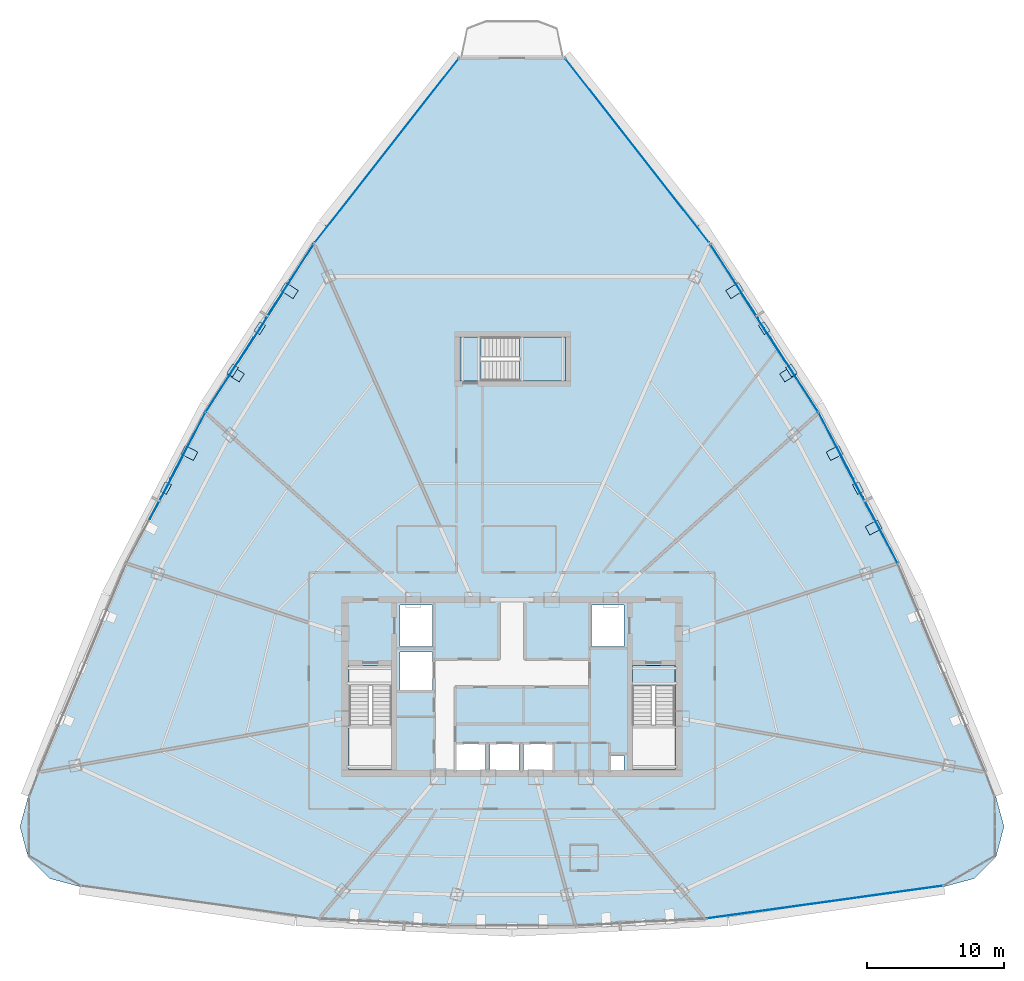
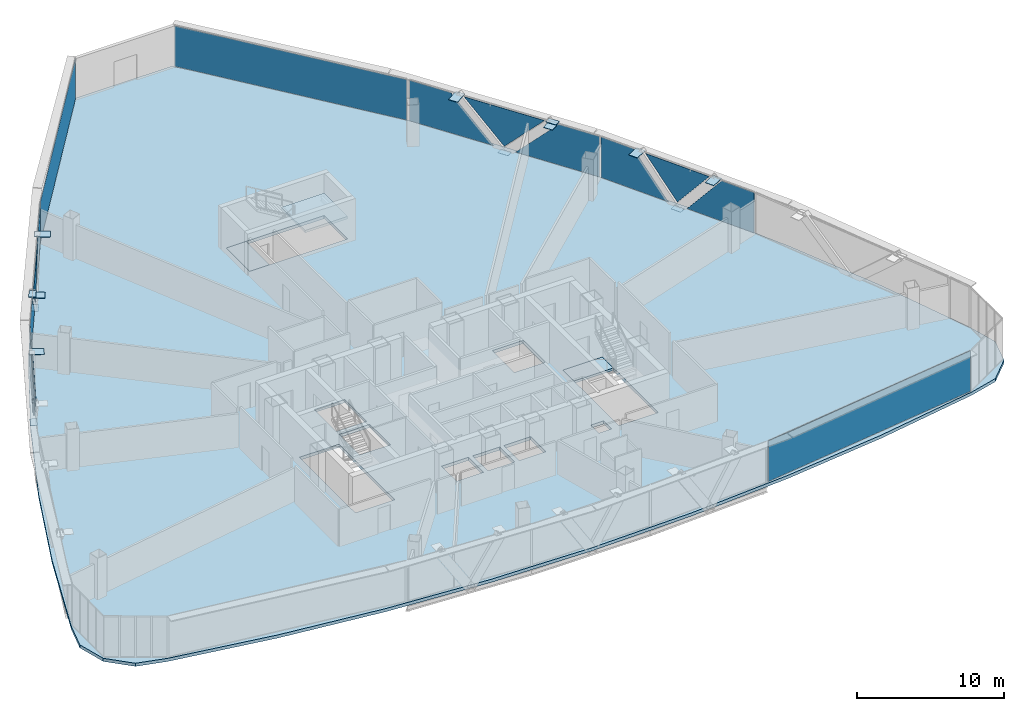
# One storey, part 28 of 36: 27 plates, 4 slabs, 9 elements without a shape of their own.
"""IFC4 building model written with IfcOpenShell, lengths in metres."""

from ifc_helpers import new_model, si_unit, direction, frame, origin, origin_2d, place, context, subcontext, project, spatial, polyline, rectangle, outline, extrude, source, transform, mapped, material, layer, layer_set, type_object, element, aggregate, save


model = new_model("IFC4")

# Units and contexts
model_context = context("Model", 3, precision=1e-05, world=origin(), true_north=direction((0.0, 1.0)))
body_context = subcontext(model_context, "Body", "Model", "MODEL_VIEW")
ifc_project = project(units=[si_unit("LENGTHUNIT", "METRE"), si_unit("AREAUNIT", "SQUARE_METRE"), si_unit("VOLUMEUNIT", "CUBIC_METRE"), si_unit("PLANEANGLEUNIT", "RADIAN"), si_unit("MASSUNIT", "GRAM", prefix="KILO"), si_unit("THERMODYNAMICTEMPERATUREUNIT", "KELVIN"), si_unit("POWERUNIT", "WATT")], contexts=[model_context])

# Site, building, storey
site_placement = place(None, origin())
site = spatial("IfcSite", under=ifc_project, at=site_placement, CompositionType="ELEMENT")
building_placement = place(site_placement, origin())
building = spatial("IfcBuilding", under=site, at=building_placement, Name="Yunzhuo Pagoda Commons", CompositionType="ELEMENT")
storey_placement = place(building_placement, frame((0.0, 0.0, 248.260009765625)))
storey = spatial("IfcBuildingStorey", under=building, at=storey_placement, Name="L62", CompositionType="ELEMENT", Elevation=248.260009765625)

# Curtain wall, plates
ifc_material_1 = material(Name="Anodized aluminium 6063-T6", Category="aluminium")
ifc_layer_1 = layer(ifc_material_1, 0.139892578125)
ifc_layer_set_1 = layer_set([ifc_layer_1], Name="Anodized aluminium 6063-T6")
curtain_wall_type = type_object("IfcCurtainWallType", Name="CW-HI High-Zone Ribbon Curtain Wall", PredefinedType="NOTDEFINED", material=ifc_layer_set_1)
curtain_wall_1_placement = place(storey_placement, origin())
curtain_wall_1 = element("IfcCurtainWall", 1, at=curtain_wall_1_placement, inside=storey, type_object=curtain_wall_type, Name="L62 curtain wall CW-L62-F2B3", PredefinedType="NOTDEFINED")
ifc_material_2 = material(Name="Tempered low-e double glazing", Category="glass")
ifc_layer_2 = layer(ifc_material_2, 0.02587890625)
ifc_layer_set_2 = layer_set([ifc_layer_2], Name="Tempered low-e double glazing")
plate_type_1 = type_object("IfcPlateType", Name="CW-HI-P Low-E Double Glazing 26", PredefinedType="CURTAIN_PANEL", material=ifc_layer_set_2)
plate_1_placement = place(storey_placement, frame((74.899169921875, 45.30029296875, 1.735107421875), z_axis=(0.88543295769, 0.464767121725, 0.0), x_axis=(-0.464767121725, 0.88543295769, 0.0)))
plate_1 = element("IfcPlate", 2, at=plate_1_placement, type_object=plate_type_1, Name="CW panel 1.1 lite 1", PredefinedType="CURTAIN_PANEL", context=body_context, shape_type="SweptSolid", body=[
    extrude(outline(polyline([(-2.7021484375, -1.679931640625), (2.7021484375, -1.679931640625), (-0.10009765625, 1.679931640625), (-2.7021484375, 1.679931640625), (-2.7021484375, -1.679931640625)])), origin(), (0.0, 0.0, 1.0), 0.028076171875),
])
plate_2_placement = place(storey_placement, frame((73.264404296875, 48.349853515625, 1.874267578125), z_axis=(0.88543295769, 0.464767121725, 0.0), x_axis=(-0.464767121725, 0.88543295769, 0.0)))
plate_2 = element("IfcPlate", 3, at=plate_2_placement, type_object=plate_type_1, Name="CW panel 1.1 lite 2", PredefinedType="CURTAIN_PANEL", context=body_context, shape_type="SweptSolid", body=[
    extrude(outline(polyline([(-2.5703125, 1.541015625), (0.0, -1.541015625), (2.5703125, 1.541015625), (-2.5703125, 1.541015625)])), origin(), (0.0, 0.0, 1.0), 0.028076171875),
])
plate_3_placement = place(storey_placement, frame((71.68310546875, 51.42724609375, 1.735107421875), z_axis=(0.88543295769, 0.464767121725, 0.0), x_axis=(-0.464767121725, 0.88543295769, 0.0)))
plate_3 = element("IfcPlate", 4, at=plate_3_placement, type_object=plate_type_1, Name="CW panel 1.1 lite 3", PredefinedType="CURTAIN_PANEL", context=body_context, shape_type="SweptSolid", body=[
    extrude(outline(polyline([(-2.7021484375, -1.679931640625), (2.7021484375, -1.679931640625), (2.7021484375, 1.679931640625), (0.10009765625, 1.679931640625), (-2.7021484375, -1.679931640625)])), origin(), (0.0, 0.0, 1.0), 0.028076171875),
])
aggregate(curtain_wall_1, [plate_1, plate_2, plate_3])

curtain_wall_2_placement = place(storey_placement, origin())
curtain_wall_2 = element("IfcCurtainWall", 5, at=curtain_wall_2_placement, inside=storey, type_object=curtain_wall_type, Name="L62 curtain wall CW-L62-F2B4", PredefinedType="NOTDEFINED")
plate_4_placement = place(storey_placement, frame((68.628662109375, 56.62841796875, 1.735107421875), z_axis=(0.841269037614, 0.540616690782, 0.0), x_axis=(-0.540616690782, 0.841269037614, 0.0)))
plate_4 = element("IfcPlate", 6, at=plate_4_placement, type_object=plate_type_1, Name="CW panel 1.1 lite 1", PredefinedType="CURTAIN_PANEL", context=body_context, shape_type="SweptSolid", body=[
    extrude(outline(polyline([(-3.216552734375, -1.679931640625), (3.216552734375, -1.679931640625), (-0.08740234375, 1.679931640625), (-3.216552734375, 1.679931640625), (-3.216552734375, -1.679931640625)])), origin(), (0.0, 0.0, 1.0), 0.028076171875),
])
plate_5_placement = place(storey_placement, frame((66.408935546875, 60.02734375, 1.848388671875), z_axis=(0.841269037614, 0.540616690782, 0.0), x_axis=(-0.540616690782, 0.841269037614, 0.0)))
plate_5 = element("IfcPlate", 7, at=plate_5_placement, type_object=plate_type_1, Name="CW panel 1.1 lite 2", PredefinedType="CURTAIN_PANEL", context=body_context, shape_type="SweptSolid", body=[
    extrude(outline(polyline([(-3.080810546875, 1.56640625), (0.0, -1.56640625), (3.080810546875, 1.56640625), (-3.080810546875, 1.56640625)])), origin(), (0.0, 0.0, 1.0), 0.028076171875),
])
plate_6_placement = place(storey_placement, frame((64.239501953125, 63.45849609375, 1.735107421875), z_axis=(0.841269037614, 0.540616690782, 0.0), x_axis=(-0.540616690782, 0.841269037614, 0.0)))
plate_6 = element("IfcPlate", 8, at=plate_6_placement, type_object=plate_type_1, Name="CW panel 1.1 lite 3", PredefinedType="CURTAIN_PANEL", context=body_context, shape_type="SweptSolid", body=[
    extrude(outline(polyline([(-3.216552734375, -1.679931640625), (3.216552734375, -1.679931640625), (3.216552734375, 1.679931640625), (0.08740234375, 1.679931640625), (-3.216552734375, -1.679931640625)])), origin(), (0.0, 0.0, 1.0), 0.028076171875),
])
aggregate(curtain_wall_2, [plate_4, plate_5, plate_6])

curtain_wall_3_placement = place(storey_placement, origin())
curtain_wall_3 = element("IfcCurtainWall", 9, at=curtain_wall_3_placement, inside=storey, type_object=curtain_wall_type, Name="L62 curtain wall CW-L62-F3B2", PredefinedType="NOTDEFINED")
plate_7_placement = place(storey_placement, frame((31.760498046875, 63.45849609375, 1.735107421875), z_axis=(-0.841269037614, 0.540616690782, 0.0), x_axis=(-0.540616690782, -0.841269037614, 0.0)))
plate_7 = element("IfcPlate", 10, at=plate_7_placement, type_object=plate_type_1, Name="CW panel 1.1 lite 1", PredefinedType="CURTAIN_PANEL", context=body_context, shape_type="SweptSolid", body=[
    extrude(outline(polyline([(-3.216552734375, -1.679931640625), (3.216552734375, -1.679931640625), (-0.08740234375, 1.679931640625), (-3.216552734375, 1.679931640625), (-3.216552734375, -1.679931640625)])), origin(), (0.0, 0.0, 1.0), 0.028076171875),
])
plate_8_placement = place(storey_placement, frame((29.59130859375, 60.02734375, 1.848388671875), z_axis=(-0.841269037614, 0.540616690782, 0.0), x_axis=(-0.540616690782, -0.841269037614, 0.0)))
plate_8 = element("IfcPlate", 11, at=plate_8_placement, type_object=plate_type_1, Name="CW panel 1.1 lite 2", PredefinedType="CURTAIN_PANEL", context=body_context, shape_type="SweptSolid", body=[
    extrude(outline(polyline([(-3.0810546875, 1.56640625), (0.0, -1.56640625), (3.0810546875, 1.56640625), (-3.0810546875, 1.56640625)])), origin(), (0.0, 0.0, 1.0), 0.028076171875),
])
plate_9_placement = place(storey_placement, frame((27.371337890625, 56.62841796875, 1.735107421875), z_axis=(-0.841269037614, 0.540616690782, 0.0), x_axis=(-0.540616690782, -0.841269037614, 0.0)))
plate_9 = element("IfcPlate", 12, at=plate_9_placement, type_object=plate_type_1, Name="CW panel 1.1 lite 3", PredefinedType="CURTAIN_PANEL", context=body_context, shape_type="SweptSolid", body=[
    extrude(outline(polyline([(-3.216552734375, -1.679931640625), (3.216552734375, -1.679931640625), (3.216552734375, 1.679931640625), (0.087646484375, 1.679931640625), (-3.216552734375, -1.679931640625)])), origin(), (0.0, 0.0, 1.0), 0.028076171875),
])
aggregate(curtain_wall_3, [plate_7, plate_8, plate_9])

curtain_wall_4_placement = place(storey_placement, origin())
curtain_wall_4 = element("IfcCurtainWall", 13, at=curtain_wall_4_placement, inside=storey, type_object=curtain_wall_type, Name="L62 curtain wall CW-L62-F3B3", PredefinedType="NOTDEFINED")
plate_10_placement = place(storey_placement, frame((24.31689453125, 51.42724609375, 1.735107421875), z_axis=(-0.88543295769, 0.464767121725, 0.0), x_axis=(-0.464767121725, -0.88543295769, 0.0)))
plate_10 = element("IfcPlate", 14, at=plate_10_placement, type_object=plate_type_1, Name="CW panel 1.1 lite 1", PredefinedType="CURTAIN_PANEL", context=body_context, shape_type="SweptSolid", body=[
    extrude(outline(polyline([(-2.7021484375, -1.679931640625), (2.7021484375, -1.679931640625), (-0.10009765625, 1.679931640625), (-2.7021484375, 1.679931640625), (-2.7021484375, -1.679931640625)])), origin(), (0.0, 0.0, 1.0), 0.028076171875),
])
plate_11_placement = place(storey_placement, frame((22.735595703125, 48.349853515625, 1.874267578125), z_axis=(-0.88543295769, 0.464767121725, 0.0), x_axis=(-0.464767121725, -0.88543295769, 0.0)))
plate_11 = element("IfcPlate", 15, at=plate_11_placement, type_object=plate_type_1, Name="CW panel 1.1 lite 2", PredefinedType="CURTAIN_PANEL", context=body_context, shape_type="SweptSolid", body=[
    extrude(outline(polyline([(-2.5703125, 1.541015625), (0.0, -1.541015625), (2.5703125, 1.541015625), (-2.5703125, 1.541015625)])), origin(), (0.0, 0.0, 1.0), 0.028076171875),
])
aggregate(curtain_wall_4, [plate_10, plate_11])

# Stair, slab
ifc_material_3 = material(Name="Concrete C40", Category="concrete")
stair_type_1 = type_object("IfcStairType", Name="ST-C2 Core Smokeproof Stair ST2", PredefinedType="HALF_TURN_STAIR", material=ifc_material_3)
stair_1_placement = place(storey_placement, origin())
stair_1 = element("IfcStair", 16, at=stair_1_placement, inside=storey, type_object=stair_type_1, Name="L62 Core smokeproof stair ST2", PredefinedType="HALF_TURN_STAIR")
ifc_layer_3 = layer(ifc_material_3, 0.201904296875)
ifc_layer_set_3 = layer_set([ifc_layer_3], Name="Concrete C40")
slab_type_1 = type_object("IfcSlabType", Name="SL-LND2 Stair Landing Slab 202", PredefinedType="LANDING", material=ifc_layer_set_3)
slab_1_placement = place(storey_placement, frame((0.0, 0.0, -0.199951171875)))
slab_1 = element("IfcSlab", 17, at=slab_1_placement, type_object=slab_type_1, Name="ST2 floor landing L62", PredefinedType="LANDING", context=body_context, shape_type="SweptSolid", body=[
    extrude(outline(polyline([(56.800048828125, 35.39990234375), (56.800048828125, 33.89990234375), (59.89990234375, 33.89990234375), (59.89990234375, 35.39990234375), (56.800048828125, 35.39990234375)])), origin(), (0.0, 0.0, 1.0), 0.199951171875),
])
aggregate(stair_1, [slab_1])

# Stair, slabs
stair_type_2 = type_object("IfcStairType", Name="ST-C3 North Tower Smokeproof Stair ST3", PredefinedType="HALF_TURN_STAIR", material=ifc_material_3)
stair_2_placement = place(storey_placement, origin())
stair_2 = element("IfcStair", 18, at=stair_2_placement, inside=storey, type_object=stair_type_2, Name="L62 North tower smokeproof stair ST3", PredefinedType="HALF_TURN_STAIR")
ifc_layer_4 = layer(ifc_material_3, 0.2041015625)
ifc_layer_set_4 = layer_set([ifc_layer_4], Name="Concrete C40")
slab_type_2 = type_object("IfcSlabType", Name="SL-LND5 North Landing Slab 204", PredefinedType="LANDING", material=ifc_layer_set_4)
slab_2_placement = place(storey_placement, frame((0.0, 0.0, 1.6650390625)))
slab_2 = element("IfcSlab", 19, at=slab_2_placement, type_object=slab_type_2, Name="ST3 landing 1", PredefinedType="LANDING", context=body_context, shape_type="SweptSolid", body=[
    extrude(outline(polyline([(48.550048828125, 56.199951171875), (51.89990234375, 56.199951171875), (51.89990234375, 59.39990234375), (48.550048828125, 59.39990234375), (48.550048828125, 56.199951171875)])), origin(), (0.0, 0.0, 1.0), 0.199951171875),
])
slab_3_placement = place(storey_placement, frame((0.0, 0.0, -0.199951171875)))
slab_3 = element("IfcSlab", 20, at=slab_3_placement, type_object=slab_type_2, Name="ST3 floor landing L62", PredefinedType="LANDING", context=body_context, shape_type="SweptSolid", body=[
    extrude(outline(polyline([(44.199951171875, 56.199951171875), (45.75, 56.199951171875), (45.75, 59.39990234375), (44.199951171875, 59.39990234375), (44.199951171875, 56.199951171875)])), origin(), (0.0, 0.0, 1.0), 0.199951171875),
])
aggregate(stair_2, [slab_2, slab_3])

# Slab
ifc_layer_5 = layer(ifc_material_3, 0.260009765625)
ifc_layer_set_5 = layer_set([ifc_layer_5], Name="Concrete C40")
slab_type_3 = type_object("IfcSlabType", Name="SL-TWR Typical Tower Floor Slab 260", PredefinedType="FLOOR", material=ifc_layer_set_5)
slab_4_placement = place(storey_placement, frame((0.0, 0.0, -0.260009765625)))
element("IfcSlab", 21, at=slab_4_placement, inside=storey, type_object=slab_type_3, Name="L62 structural floor slab", PredefinedType="FLOOR", context=body_context, shape_type="SweptSolid", body=[
    extrude(outline(polyline([(15.419677734375, 33.249267578125), (18.5390625, 40.499267578125), (21.990478515625, 47.555419921875), (25.773681640625, 54.417724609375), (29.888916015625, 61.08642578125), (34.336181640625, 67.561279296875), (39.115234375, 73.842529296875), (44.226318359375, 79.9296875), (51.773681640625, 79.9296875), (56.884765625, 73.842529296875), (61.663818359375, 67.561279296875), (66.111083984375, 61.08642578125), (70.226318359375, 54.417724609375), (74.009521484375, 47.555419921875), (77.4609375, 40.499267578125), (80.580322265625, 33.249267578125), (83.367919921875, 25.8056640625), (83.963623046875, 23.618408203125), (83.383544921875, 21.427001953125), (81.783447265625, 19.8212890625), (79.59423828125, 19.2333984375), (71.69580078125, 17.88818359375), (63.797119140625, 16.92724609375), (55.898681640625, 16.3505859375), (48.0, 16.158447265625), (40.101318359375, 16.3505859375), (32.202880859375, 16.92724609375), (24.30419921875, 17.88818359375), (16.40576171875, 19.2333984375), (14.216552734375, 19.8212890625), (12.616455078125, 21.427001953125), (12.036376953125, 23.618408203125), (12.632080078125, 25.8056640625), (15.419677734375, 33.249267578125)]), holes=[polyline([(56.179931640625, 28.800048828125), (55.179931640625, 28.800048828125), (55.179931640625, 27.699951171875), (56.179931640625, 27.699951171875), (56.179931640625, 28.800048828125)]), polyline([(46.050048828125, 29.64990234375), (43.949951171875, 29.64990234375), (43.949951171875, 27.60009765625), (46.050048828125, 27.60009765625), (46.050048828125, 29.64990234375)]), polyline([(48.5, 29.64990234375), (46.39990234375, 29.64990234375), (46.39990234375, 27.60009765625), (48.5, 27.60009765625), (48.5, 29.64990234375)]), polyline([(50.949951171875, 27.60009765625), (50.949951171875, 29.64990234375), (48.85009765625, 29.64990234375), (48.85009765625, 27.60009765625), (50.949951171875, 27.60009765625)]), polyline([(36.10009765625, 27.800048828125), (39.199951171875, 27.800048828125), (39.199951171875, 35.39990234375), (36.10009765625, 35.39990234375), (36.10009765625, 27.800048828125)]), polyline([(59.89990234375, 27.800048828125), (59.89990234375, 35.39990234375), (56.800048828125, 35.39990234375), (56.800048828125, 27.800048828125), (59.89990234375, 27.800048828125)]), polyline([(42.199951171875, 36.39990234375), (39.800048828125, 36.39990234375), (39.800048828125, 33.60009765625), (42.199951171875, 33.60009765625), (42.199951171875, 36.39990234375)]), polyline([(42.199951171875, 39.800048828125), (39.800048828125, 39.800048828125), (39.800048828125, 36.800048828125), (42.199951171875, 36.800048828125), (42.199951171875, 39.800048828125)]), polyline([(56.199951171875, 36.800048828125), (56.199951171875, 39.800048828125), (53.800048828125, 39.800048828125), (53.800048828125, 36.800048828125), (56.199951171875, 36.800048828125)]), polyline([(51.89990234375, 56.199951171875), (51.89990234375, 59.39990234375), (44.199951171875, 59.39990234375), (44.199951171875, 56.199951171875), (51.89990234375, 56.199951171875)])]), origin(), (0.0, 0.0, 1.0), 0.260009765625),
])

# Plates
ifc_material_4 = material(Name="Structural steel Q355B", Category="steel")
ifc_layer_6 = layer(ifc_material_4, 0.028076171875)
ifc_layer_set_6 = layer_set([ifc_layer_6], Name="Structural steel Q355B")
plate_type_2 = type_object("IfcPlateType", Name="SP-ND1 Lattice Node Cap Plate 800x500x28", PredefinedType="USERDEFINED", material=ifc_layer_set_6)
shared_shape_1 = source(origin(), body_context, "Body", "SweptSolid", [
    extrude(rectangle(XDim=0.800048828125, YDim=0.5, at=origin_2d()), origin(), (0.0, 0.0, 1.0), 0.028076171875),
])
for number, where, z_axis, x_axis, name in (
    (22, (73.303466796875, 48.370361328125, -0.27392578125), (0.0, 0.0, 1.0), (-0.464764778785, 0.885434187504, 0.0), "L62 diamond node plate F2.2A"),
    (23, (66.44580078125, 60.051025390625, -0.27392578125), (0.0, 0.0, 1.0), (-0.540622130321, 0.84126554203, 0.0), "L62 diamond node plate F2.3A"),
    (24, (29.55419921875, 60.051025390625, -0.27392578125), (0.0, 0.0, 1.0), (-0.540622130321, -0.84126554203, 0.0), "L62 diamond node plate F3.1A"),
    (25, (22.696533203125, 48.370361328125, -0.27392578125), (0.0, 0.0, 1.0), (-0.464764778785, -0.885434187504, 0.0), "L62 diamond node plate F3.2A"),
):
    element("IfcPlate", number, at=place(storey_placement, frame(where, z_axis=z_axis, x_axis=x_axis)), inside=storey, type_object=plate_type_2, Name=name, ObjectType="STIFFENER_PLATE", PredefinedType="USERDEFINED", context=body_context, shape_type="MappedRepresentation", body=[
        mapped(shared_shape_1, transform((0.0, 0.0, 0.0), scale=1.0)),
    ])
ifc_layer_7 = layer(ifc_material_4, 0.028076171875)
ifc_layer_set_7 = layer_set([ifc_layer_7], Name="Structural steel Q355B")
plate_type_3 = type_object("IfcPlateType", Name="EP-DL1 Diamond Brace End Plate 800x500x28", PredefinedType="USERDEFINED", material=ifc_layer_set_7)
for number, where, z_axis, x_axis, name in (
    (26, (68.4287109375, 56.96533203125, 3.4677734375), (0.0, 0.0, 1.0), (-0.540622130321, 0.84126554203, 0.0), "L62 diamond brace end plate F2.3L"),
    (27, (27.5712890625, 56.96533203125, 3.4677734375), (0.0, 0.0, 1.0), (-0.540622130321, -0.84126554203, 0.0), "L62 diamond brace end plate F3.1R"),
):
    element("IfcPlate", number, at=place(storey_placement, frame(where, z_axis=z_axis, x_axis=x_axis)), inside=storey, type_object=plate_type_3, Name=name, ObjectType="END_PLATE", PredefinedType="USERDEFINED", context=body_context, shape_type="MappedRepresentation", body=[
        mapped(shared_shape_1, transform((0.0, 0.0, 0.0), scale=1.0)),
    ])
shared_shape_2 = source(origin(), body_context, "Body", "SweptSolid", [
    extrude(rectangle(XDim=0.699951171875, YDim=1.022216796875, at=origin_2d()), origin(), (0.0, 0.0, 1.0), 0.035888671875),
])
plate_12_placement = place(storey_placement, frame((74.442138671875, 45.479248046875, 3.43212890625), z_axis=(0.0, 0.0, 1.0), x_axis=(-0.464764778785, 0.885434187504, 0.0)))
element("IfcPlate", 28, at=plate_12_placement, inside=storey, type_object=plate_type_2, Name="L62 setback lattice tie plate F2.2L", ObjectType="STIFFENER_PLATE", PredefinedType="USERDEFINED", context=body_context, shape_type="MappedRepresentation", body=[
    mapped(shared_shape_2, transform((0.0, 0.0, 0.0), scale=1.0)),
])
shared_shape_3 = source(origin(), body_context, "Body", "SweptSolid", [
    extrude(rectangle(XDim=0.699951171875, YDim=1.02392578125, at=origin_2d()), origin(), (0.0, 0.0, 1.0), 0.035888671875),
])
for number, where, z_axis, x_axis, name in (
    (29, (71.585205078125, 50.926513671875, 3.43212890625), (0.0, 0.0, 1.0), (-0.464764778785, 0.885434187504, 0.0), "L62 setback lattice tie plate F2.2R"),
    (30, (24.414794921875, 50.926513671875, 3.43212890625), (0.0, 0.0, 1.0), (-0.464764778785, -0.885434187504, 0.0), "L62 setback lattice tie plate F3.2L"),
):
    element("IfcPlate", number, at=place(storey_placement, frame(where, z_axis=z_axis, x_axis=x_axis)), inside=storey, type_object=plate_type_2, Name=name, ObjectType="STIFFENER_PLATE", PredefinedType="USERDEFINED", context=body_context, shape_type="MappedRepresentation", body=[
        mapped(shared_shape_3, transform((0.0, 0.0, 0.0), scale=1.0)),
    ])
shared_shape_4 = source(origin(), body_context, "Body", "SweptSolid", [
    extrude(rectangle(XDim=0.699951171875, YDim=1.050537109375, at=origin_2d()), origin(), (0.0, 0.0, 1.0), 0.035888671875),
])
for number, where, z_axis, x_axis, name in (
    (31, (68.197265625, 56.702392578125, 3.43212890625), (0.0, 0.0, 1.0), (-0.540622130321, 0.84126554203, 0.0), "L62 setback lattice tie plate F2.3L"),
    (32, (27.802734375, 56.702392578125, 3.43212890625), (0.0, 0.0, 1.0), (-0.540622130321, -0.84126554203, 0.0), "L62 setback lattice tie plate F3.1R"),
):
    element("IfcPlate", number, at=place(storey_placement, frame(where, z_axis=z_axis, x_axis=x_axis)), inside=storey, type_object=plate_type_2, Name=name, ObjectType="STIFFENER_PLATE", PredefinedType="USERDEFINED", context=body_context, shape_type="MappedRepresentation", body=[
        mapped(shared_shape_4, transform((0.0, 0.0, 0.0), scale=1.0)),
    ])
shared_shape_5 = source(origin(), body_context, "Body", "SweptSolid", [
    extrude(rectangle(XDim=0.699951171875, YDim=1.10595703125, at=origin_2d()), origin(), (0.0, 0.0, 1.0), 0.035888671875),
])
plate_13_placement = place(storey_placement, frame((64.278076171875, 62.80712890625, 3.43212890625), z_axis=(0.0, 0.0, 1.0), x_axis=(-0.540622130321, 0.84126554203, 0.0)))
element("IfcPlate", 33, at=plate_13_placement, inside=storey, type_object=plate_type_2, Name="L62 setback lattice tie plate F2.3R", ObjectType="STIFFENER_PLATE", PredefinedType="USERDEFINED", context=body_context, shape_type="MappedRepresentation", body=[
    mapped(shared_shape_5, transform((0.0, 0.0, 0.0), scale=1.0)),
])
shared_shape_6 = source(origin(), body_context, "Body", "SweptSolid", [
    extrude(rectangle(XDim=0.699951171875, YDim=1.105712890625, at=origin_2d()), origin(), (0.0, 0.0, 1.0), 0.035888671875),
])
plate_14_placement = place(storey_placement, frame((31.72216796875, 62.80712890625, 3.43212890625), z_axis=(0.0, 0.0, 1.0), x_axis=(-0.540622130321, -0.84126554203, 0.0)))
element("IfcPlate", 34, at=plate_14_placement, inside=storey, type_object=plate_type_2, Name="L62 setback lattice tie plate F3.1L", ObjectType="STIFFENER_PLATE", PredefinedType="USERDEFINED", context=body_context, shape_type="MappedRepresentation", body=[
    mapped(shared_shape_6, transform((0.0, 0.0, 0.0), scale=1.0)),
])

# Curtain wall, plate
curtain_wall_5_placement = place(storey_placement, origin())
curtain_wall_5 = element("IfcCurtainWall", 35, at=curtain_wall_5_placement, inside=storey, type_object=curtain_wall_type, Name="L62 curtain wall CW-L62-F1B5", PredefinedType="NOTDEFINED")
shared_shape_7 = source(origin(), body_context, "Body", "SweptSolid", [
    extrude(rectangle(XDim=17.41650390625, YDim=0.028076171875, at=origin_2d()), origin(), (0.0, 0.0, 1.0), 3.360107421875),
])
plate_15_placement = place(storey_placement, frame((70.868896484375, 18.09912109375, 0.05517578125), z_axis=(0.0, 0.0, 1.0), x_axis=(0.990536382082, 0.137250412651, 0.0)))
plate_15 = element("IfcPlate", 36, at=plate_15_placement, type_object=plate_type_1, Name="CW panel 1.1", PredefinedType="CURTAIN_PANEL", context=body_context, shape_type="MappedRepresentation", body=[
    mapped(shared_shape_7, transform((0.0, 0.0, 0.0), scale=1.0)),
])
aggregate(curtain_wall_5, [plate_15])

curtain_wall_6_placement = place(storey_placement, origin())
curtain_wall_6 = element("IfcCurtainWall", 37, at=curtain_wall_6_placement, inside=storey, type_object=curtain_wall_type, Name="L62 curtain wall CW-L62-F2B5", PredefinedType="NOTDEFINED")
shared_shape_8 = source(origin(), body_context, "Body", "SweptSolid", [
    extrude(rectangle(XDim=17.037109375, YDim=0.028076171875, at=origin_2d()), origin(), (0.0, 0.0, 1.0), 3.360107421875),
])
plate_16_placement = place(storey_placement, frame((57.151123046875, 73.040771484375, 0.05517578125), z_axis=(0.0, 0.0, 1.0), x_axis=(-0.615789034114, 0.787911077131, 0.0)))
plate_16 = element("IfcPlate", 38, at=plate_16_placement, type_object=plate_type_1, Name="CW panel 1.1", PredefinedType="CURTAIN_PANEL", context=body_context, shape_type="MappedRepresentation", body=[
    mapped(shared_shape_8, transform((0.0, 0.0, 0.0), scale=1.0)),
])
aggregate(curtain_wall_6, [plate_16])

curtain_wall_7_placement = place(storey_placement, origin())
curtain_wall_7 = element("IfcCurtainWall", 39, at=curtain_wall_7_placement, inside=storey, type_object=curtain_wall_type, Name="L62 curtain wall CW-L62-F3B1", PredefinedType="NOTDEFINED")
plate_17_placement = place(storey_placement, frame((38.848876953125, 73.040771484375, 0.05517578125), z_axis=(0.0, 0.0, 1.0), x_axis=(-0.615789034114, -0.787911077131, 0.0)))
plate_17 = element("IfcPlate", 40, at=plate_17_placement, type_object=plate_type_1, Name="CW panel 1.1", PredefinedType="CURTAIN_PANEL", context=body_context, shape_type="MappedRepresentation", body=[
    mapped(shared_shape_8, transform((0.0, 0.0, 0.0), scale=1.0)),
])
aggregate(curtain_wall_7, [plate_17])

save(model, "model.ifc")
